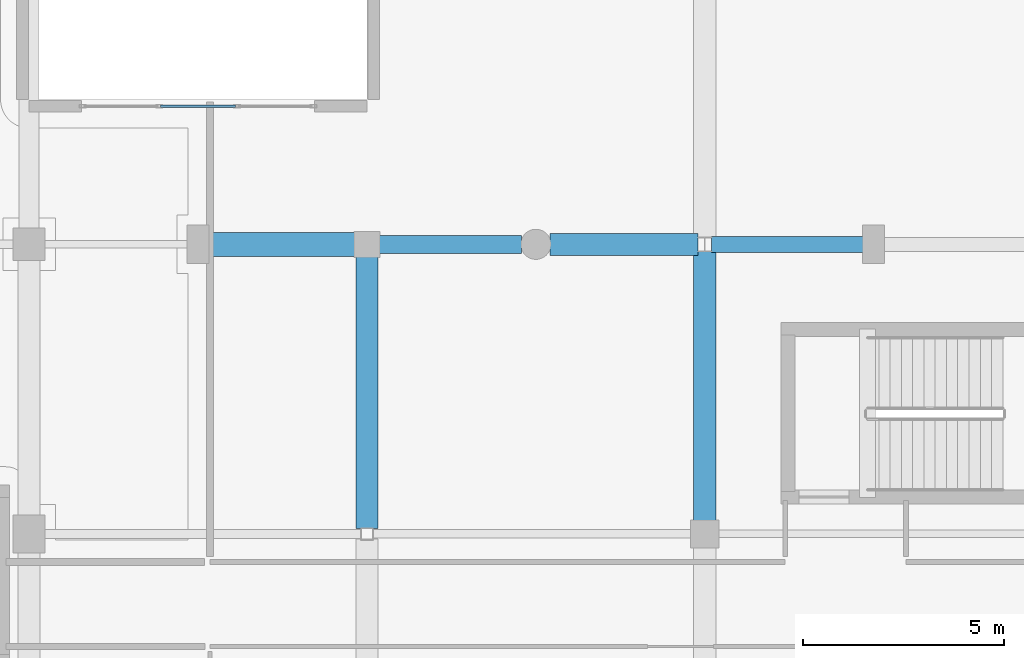
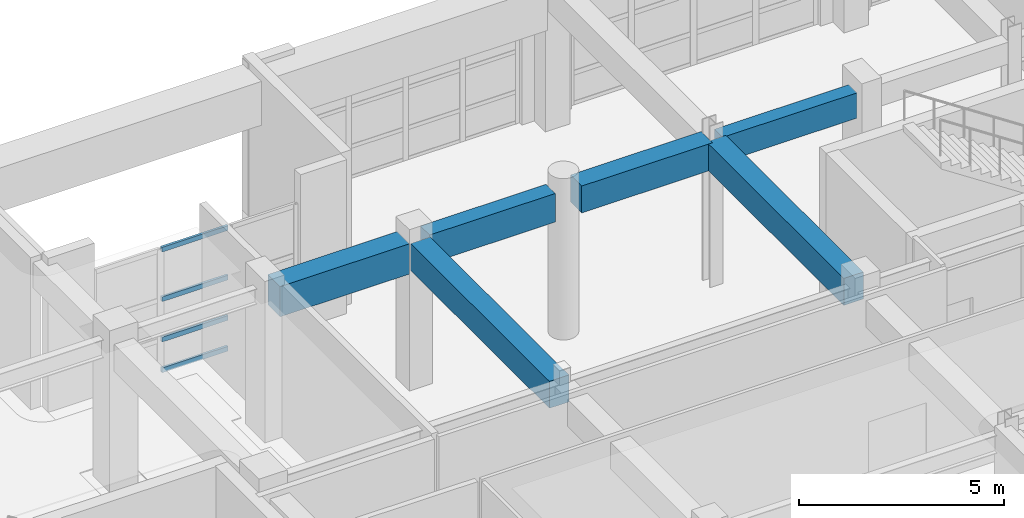
# One storey, part 67 of 123: 6 beams, 4 members, 1 element without a shape of its own.
"""IFC4 building model written with IfcOpenShell, lengths in metres."""

import ifcopenshell
import ifcopenshell.guid

model = None  # the IFC model being written
_history = None  # IfcOwnerHistory: only IFC2X3 demands one
_inside = {}  # id of a spatial element -> (the spatial element, [elements in it])
_under = {}  # id of a project, library or spatial element -> (it, [spatial elements below it])
_declared = {}  # id of a project -> (the project, [libraries it declares])
_typed = {}  # id of a type object -> (the type object, [elements of that type])
_made_of = {}  # id of a material, layer set ... -> (it, [elements and type objects made of it])


def new_model(schema):
    """Start an empty IFC model of exactly this schema.

    Asked for "IFC4X3", IfcOpenShell would pick the latest addendum, in which some entities
    have other attributes; the version numbers below select the first issue.
    IFC2X3 requires an IfcOwnerHistory on every rooted entity: one is made here for all.
    """
    global model, _history
    if schema == "IFC4X3":
        model = ifcopenshell.file(schema_version=(4, 3, 0, 0))
    else:
        model = ifcopenshell.file(schema=schema)
    _inside.clear()
    _under.clear()
    _declared.clear()
    _typed.clear()
    _made_of.clear()
    _history = None
    if model.schema == "IFC2X3":
        org = make("IfcOrganization", Name="unknown")
        user = make(
            "IfcPersonAndOrganization",
            ThePerson=make("IfcPerson", FamilyName="unknown"),
            TheOrganization=org,
        )
        app = make(
            "IfcApplication",
            ApplicationDeveloper=org,
            Version="unknown",
            ApplicationFullName="unknown",
            ApplicationIdentifier="unknown",
        )
        _history = make(
            "IfcOwnerHistory",
            OwningUser=user,
            OwningApplication=app,
            ChangeAction="ADDED",
            CreationDate=0,
        )
    return model


def make(cls, **values):
    """One entity of the class cls with the attributes given. An attribute that is None is left unset."""
    return model.create_entity(
        cls, **{name: value for name, value in values.items() if value is not None}
    )


def rooted(cls, **values):
    """An entity with a GlobalId (a new one), such as an element, a storey or a relation."""
    return make(cls, GlobalId=ifcopenshell.guid.new(), OwnerHistory=_history, **values)


def si_unit(unit_type, name, prefix=None):
    """IfcSIUnit, for example si_unit("LENGTHUNIT", "METRE", prefix="MILLI")."""
    return make("IfcSIUnit", UnitType=unit_type, Prefix=prefix, Name=name)


def assignment(units):
    """IfcUnitAssignment: the units of a project."""
    return None if units is None else make("IfcUnitAssignment", Units=units)


def point(xyz):
    """IfcCartesianPoint."""
    return None if xyz is None else make("IfcCartesianPoint", Coordinates=xyz)


def direction(xyz):
    """IfcDirection."""
    return None if xyz is None else make("IfcDirection", DirectionRatios=xyz)


def frame(location, z_axis=None, x_axis=None):
    """IfcAxis2Placement3D, a coordinate frame: its origin and axes. An axis left out is left unset."""
    return make(
        "IfcAxis2Placement3D",
        Location=point(location),
        Axis=direction(z_axis),
        RefDirection=direction(x_axis),
    )


def frame_2d(location, x_axis=None):
    """IfcAxis2Placement2D, a coordinate frame in the plane: its origin and x axis."""
    return make(
        "IfcAxis2Placement2D", Location=point(location), RefDirection=direction(x_axis)
    )


def origin():
    """The frame at (0, 0, 0) with its axes left unset."""
    return frame((0.0, 0.0, 0.0))


def origin_2d():
    """The frame at (0, 0) in the plane with its x axis left unset."""
    return frame_2d((0.0, 0.0))


def place(relative_to, where):
    """IfcLocalPlacement: puts the frame where relative to a parent placement (None: the world)."""
    return make(
        "IfcLocalPlacement", PlacementRelTo=relative_to, RelativePlacement=where
    )


def context(
    kind, dimensions, precision=None, world=None, true_north=None, identifier=None
):
    """IfcGeometricRepresentationContext, for example the 3D "Model" context."""
    return make(
        "IfcGeometricRepresentationContext",
        ContextIdentifier=identifier,
        ContextType=kind,
        CoordinateSpaceDimension=dimensions,
        Precision=precision,
        WorldCoordinateSystem=world,
        TrueNorth=true_north,
    )


def subcontext(parent, identifier, kind, view, scale=None):
    """IfcGeometricRepresentationSubContext, for example "Body" below "Model"."""
    return make(
        "IfcGeometricRepresentationSubContext",
        ContextIdentifier=identifier,
        ContextType=kind,
        ParentContext=parent,
        TargetScale=scale,
        TargetView=view,
    )


def project(units=None, contexts=None):
    """IfcProject with its units and contexts."""
    return rooted(
        "IfcProject",
        Name="project",
        RepresentationContexts=contexts,
        UnitsInContext=assignment(units),
    )


def spatial(cls, under=None, at=None, **own):
    """A site, building, storey or space (cls), placed at a placement, below another one or the project."""
    s = rooted(cls, ObjectPlacement=at, **own)
    if under is not None:
        _under.setdefault(under.id(), (under, []))[1].append(s)
    return s


def profile(cls, at=None, kind="AREA", **sizes):
    """A parametric profile (cls). Its sizes go by their IFC names, for example OverallWidth=200.0."""
    return make(cls, ProfileType=kind, Position=at, **sizes)


def rectangle(**sizes):
    """IfcRectangleProfileDef."""
    return profile("IfcRectangleProfileDef", **sizes)


def hollow_rectangle(**sizes):
    """IfcRectangleHollowProfileDef."""
    return profile("IfcRectangleHollowProfileDef", **sizes)


def extrude(swept, where, along, depth):
    """IfcExtrudedAreaSolid: the profile swept, set in the frame where, extruded along a direction by depth."""
    return make(
        "IfcExtrudedAreaSolid",
        SweptArea=swept,
        Position=where,
        ExtrudedDirection=direction(along),
        Depth=depth,
    )


def shape(context_of_items, identifier, shape_type, items):
    """IfcShapeRepresentation: the items that make up one representation, for example the "Body"."""
    return make(
        "IfcShapeRepresentation",
        ContextOfItems=context_of_items,
        RepresentationIdentifier=identifier,
        RepresentationType=shape_type,
        Items=items,
    )


def material(Name=None, Category=None):
    """IfcMaterial."""
    return make("IfcMaterial", Name=Name, Category=Category)


def layer(
    of_material, thickness, ventilated=None, Name=None, Category=None, Priority=None
):
    """IfcMaterialLayer: one layer of a wall or slab, of a material (None: an air gap)."""
    return make(
        "IfcMaterialLayer",
        Material=of_material,
        LayerThickness=thickness,
        IsVentilated=ventilated,
        Name=Name,
        Category=Category,
        Priority=Priority,
    )


def layer_set(layers, Name=None):
    """IfcMaterialLayerSet."""
    return make("IfcMaterialLayerSet", MaterialLayers=layers, LayerSetName=Name)


def material_profile(
    of_material, cross_section, Name=None, Category=None, Priority=None
):
    """IfcMaterialProfile: a cross section and its material."""
    return make(
        "IfcMaterialProfile",
        Name=Name,
        Material=of_material,
        Profile=cross_section,
        Priority=Priority,
        Category=Category,
    )


def profile_set(profiles, Name=None, composite=None):
    """IfcMaterialProfileSet."""
    return make(
        "IfcMaterialProfileSet",
        Name=Name,
        MaterialProfiles=profiles,
        CompositeProfile=composite,
    )


def made_of(thing, what):
    """Note that an element or type object is made of a material, layer set ...; save() writes the relation."""
    if what is not None:
        _made_of.setdefault(what.id(), (what, []))[1].append(thing)
    return thing


def type_object(cls, material=None, **own):
    """A type object (cls), such as IfcWallType, which elements share."""
    return made_of(rooted(cls, **own), material)


def element(
    cls,
    number,
    at=None,
    inside=None,
    cuts=None,
    type_object=None,
    material=None,
    context=None,
    identifier="Body",
    shape_type=None,
    held_by="IfcProductDefinitionShape",
    body=None,
    shapes=None,
    **own,
):
    """One element of the class cls, such as IfcWall. Its Tag is "e" and its number.

    at: its placement. inside: the storey or other place that contains it. cuts: it is an
    opening in that element (IfcRelVoidsElement). A single representation is given by context,
    identifier, shape_type and body (its items); several are given by shapes. held_by: the class
    of the entity that holds the representations. save() writes the other relations.
    """
    e = rooted(cls, Tag="e%d" % number, ObjectPlacement=at, **own)
    if body is not None:
        shapes = [shape(context, identifier, shape_type, body)]
    if shapes is not None:
        e.Representation = make(held_by, Representations=shapes)
    if inside is not None:
        _inside.setdefault(inside.id(), (inside, []))[1].append(e)
    if cuts is not None:
        rooted(
            "IfcRelVoidsElement", RelatingBuildingElement=cuts, RelatedOpeningElement=e
        )
    if type_object is not None:
        _typed.setdefault(type_object.id(), (type_object, []))[1].append(e)
    return made_of(e, material)


def aggregate(whole, parts):
    """IfcRelAggregates: a whole, such as a stair, and the parts it consists of."""
    return rooted("IfcRelAggregates", RelatingObject=whole, RelatedObjects=parts)


def save(model, path):
    """Write the relations noted so far, then the file.

    IfcRelAggregates (storeys below a building ...), IfcRelContainedInSpatialStructure (elements
    in a storey), IfcRelDefinesByType, IfcRelAssociatesMaterial and IfcRelDeclares: one each for
    every whole, place, type object, material and project.
    """
    for whole, parts in _under.values():
        aggregate(whole, parts)
    for where, things in _inside.values():
        rooted(
            "IfcRelContainedInSpatialStructure",
            RelatedElements=things,
            RelatingStructure=where,
        )
    for kind, things in _typed.values():
        rooted("IfcRelDefinesByType", RelatedObjects=things, RelatingType=kind)
    for what, things in _made_of.values():
        rooted("IfcRelAssociatesMaterial", RelatedObjects=things, RelatingMaterial=what)
    for by, libraries in _declared.values():
        rooted("IfcRelDeclares", RelatingContext=by, RelatedDefinitions=libraries)
    model.write(path)


model = new_model("IFC4")

# Units and contexts
model_context = context("Model", 3, precision=1e-05, world=origin(), true_north=direction((0.0, 1.0)))
body_context = subcontext(model_context, "Body", "Model", "MODEL_VIEW")
ifc_project = project(units=[si_unit("LENGTHUNIT", "METRE"), si_unit("AREAUNIT", "SQUARE_METRE"), si_unit("VOLUMEUNIT", "CUBIC_METRE"), si_unit("PLANEANGLEUNIT", "RADIAN"), si_unit("MASSUNIT", "GRAM", prefix="KILO")], contexts=[model_context])

# Site, building, storey
site_placement = place(None, origin())
site = spatial("IfcSite", under=ifc_project, at=site_placement, CompositionType="ELEMENT")
building_placement = place(site_placement, origin())
building = spatial("IfcBuilding", under=site, at=building_placement, Name="Quendrovan Civic Courthouse", CompositionType="ELEMENT")
storey_placement = place(building_placement, frame((0.0, 0.0, 5.39990234375)))
storey = spatial("IfcBuildingStorey", under=building, at=storey_placement, Name="L02", CompositionType="ELEMENT", Elevation=5.39990234375)

# Beams
ifc_material_1 = material(Name="Concrete C40/50", Category="concrete")
ifc_material_profile_1 = material_profile(ifc_material_1, rectangle(XDim=0.39990234375, YDim=0.75, at=origin_2d()), Name="RC-BM-400x750")
ifc_profile_set_1 = profile_set([ifc_material_profile_1], Name="Concrete C40/50")
beam_type_1 = type_object("IfcBeamType", Name="BM-RC750B", PredefinedType="BEAM", material=ifc_profile_set_1)
beam_1_placement = place(storey_placement, frame((109.366943359375, 102.0, 3.985107421875), z_axis=(1.0, 0.0, 0.0), x_axis=(0.0, 1.0, 0.0)))
element("IfcBeam", 1, at=beam_1_placement, inside=storey, type_object=beam_type_1, Name="L02 Girder X0584", PredefinedType="BEAM", context=body_context, shape_type="SweptSolid", body=[
    extrude(rectangle(XDim=0.39990234375, YDim=0.75, at=origin_2d()), origin(), (0.0, 0.0, 1.0), 3.778076171875),
])
ifc_material_profile_2 = material_profile(ifc_material_1, rectangle(XDim=0.550048828125, YDim=0.800048828125, at=origin_2d()), Name="RC-BM-550x800")
ifc_profile_set_2 = profile_set([ifc_material_profile_2], Name="Concrete C40/50")
beam_type_2 = type_object("IfcBeamType", Name="BM-RC800", PredefinedType="BEAM", material=ifc_profile_set_2)
beam_2_placement = place(storey_placement, frame((105.35498046875, 102.0, 3.960205078125), z_axis=(1.0, 0.0, 0.0), x_axis=(0.0, 1.0, 0.0)))
element("IfcBeam", 2, at=beam_2_placement, inside=storey, type_object=beam_type_2, Name="L02 Girder X0583", PredefinedType="BEAM", context=body_context, shape_type="SweptSolid", body=[
    extrude(rectangle(XDim=0.550048828125, YDim=0.800048828125, at=origin_2d()), origin(), (0.0, 0.0, 1.0), 3.677978515625),
])
beam_3_placement = place(storey_placement, frame((100.800048828125, 94.929931640625, 3.960205078125), z_axis=(0.0, 1.0, 0.0), x_axis=(-1.0, 0.0, 0.0)))
element("IfcBeam", 3, at=beam_3_placement, inside=storey, type_object=beam_type_2, Name="L02 Girder Y0689", PredefinedType="BEAM", context=body_context, shape_type="SweptSolid", body=[
    extrude(rectangle(XDim=0.550048828125, YDim=0.800048828125, at=origin_2d()), origin(), (0.0, 0.0, 1.0), 6.76513671875),
])
beam_4_placement = place(storey_placement, frame((109.199951171875, 95.1298828125, 3.960205078125), z_axis=(0.0, 1.0, 0.0), x_axis=(-1.0, 0.0, 0.0)))
element("IfcBeam", 4, at=beam_4_placement, inside=storey, type_object=beam_type_2, Name="L02 Girder Y0694", PredefinedType="BEAM", context=body_context, shape_type="SweptSolid", body=[
    extrude(rectangle(XDim=0.550048828125, YDim=0.800048828125, at=origin_2d()), origin(), (0.0, 0.0, 1.0), 6.7041015625),
])
ifc_material_2 = material(Name="Concrete C45/55", Category="concrete")
ifc_material_profile_3 = material_profile(ifc_material_2, rectangle(XDim=0.449951171875, YDim=0.85009765625, at=origin_2d()), Name="RC-BM-450x850")
ifc_profile_set_3 = profile_set([ifc_material_profile_3], Name="Concrete C45/55")
beam_type_3 = type_object("IfcBeamType", Name="BM-RC850", PredefinedType="BEAM", material=ifc_profile_set_3)
beam_5_placement = place(storey_placement, frame((101.10498046875, 102.0, 3.93505859375), z_axis=(1.0, 0.0, 0.0), x_axis=(0.0, 1.0, 0.0)))
element("IfcBeam", 5, at=beam_5_placement, inside=storey, type_object=beam_type_3, Name="L02 Girder X0582", PredefinedType="BEAM", context=body_context, shape_type="SweptSolid", body=[
    extrude(rectangle(XDim=0.449951171875, YDim=0.85009765625, at=origin_2d()), origin(), (0.0, 0.0, 1.0), 3.5400390625),
])
ifc_material_profile_4 = material_profile(ifc_material_1, rectangle(XDim=0.60009765625, YDim=0.89990234375, at=origin_2d()), Name="RC-BM-600x900")
ifc_profile_set_4 = profile_set([ifc_material_profile_4], Name="Concrete C40/50")
beam_type_4 = type_object("IfcBeamType", Name="BM-RC900", PredefinedType="BEAM", material=ifc_profile_set_4)
beam_6_placement = place(storey_placement, frame((96.85498046875, 102.0, 3.91015625), z_axis=(1.0, 0.0, 0.0), x_axis=(0.0, 1.0, 0.0)))
element("IfcBeam", 6, at=beam_6_placement, inside=storey, type_object=beam_type_4, Name="L02 Girder X0581", PredefinedType="BEAM", context=body_context, shape_type="SweptSolid", body=[
    extrude(rectangle(XDim=0.60009765625, YDim=0.89990234375, at=origin_2d()), origin(), (0.0, 0.0, 1.0), 3.64013671875),
])

# Curtain wall, members
ifc_material_3 = material(Name="Bronze anodised aluminium and low-E glass", Category="aluminium")
ifc_layer = layer(ifc_material_3, 0.179931640625, Name="Bronze anodised aluminium and low-E glass")
ifc_layer_set = layer_set([ifc_layer], Name="Bronze anodised aluminium and low-E glass")
curtain_wall_type = type_object("IfcCurtainWallType", Name="CW-U58x37", PredefinedType="USERDEFINED", material=ifc_layer_set)
curtain_wall_placement = place(storey_placement, origin())
curtain_wall = element("IfcCurtainWall", 7, at=curtain_wall_placement, inside=storey, type_object=curtain_wall_type, Name="L02 Unitised Hurricane Curtain Wall CW-088", ObjectType="UNITISED CURTAIN WALL", PredefinedType="USERDEFINED")
ifc_material_4 = material(Name="Bronze anodised aluminium", Category="aluminium")
ifc_material_profile_5 = material_profile(ifc_material_4, hollow_rectangle(XDim=0.070068359375, YDim=0.139892578125, WallThickness=0.00390625, at=origin_2d()), Name="CW-TRAN-70x140")
ifc_profile_set_5 = profile_set([ifc_material_profile_5], Name="Bronze anodised aluminium")
member_type = type_object("IfcMemberType", Name="CW-TRAN-A", PredefinedType="USERDEFINED", material=ifc_profile_set_5)
member_1_placement = place(storey_placement, frame((95.668212890625, 105.43505859375, 0.03515625), z_axis=(1.0, 0.0, 0.0), x_axis=(0.0, 1.0, 0.0)))
member_1 = element("IfcMember", 8, at=member_1_placement, type_object=member_type, Name="CW-088 transom 2.1", ObjectType="TRANSOM", PredefinedType="USERDEFINED", context=body_context, shape_type="SweptSolid", body=[
    extrude(hollow_rectangle(XDim=0.070068359375, YDim=0.139892578125, WallThickness=0.00390625, at=origin_2d()), origin(), (0.0, 0.0, 1.0), 1.863525390625),
])
member_2_placement = place(storey_placement, frame((95.668212890625, 105.43505859375, 0.9501953125), z_axis=(1.0, 0.0, 0.0), x_axis=(0.0, 1.0, 0.0)))
member_2 = element("IfcMember", 9, at=member_2_placement, type_object=member_type, Name="CW-088 transom 2.2", ObjectType="TRANSOM", PredefinedType="USERDEFINED", context=body_context, shape_type="SweptSolid", body=[
    extrude(hollow_rectangle(XDim=0.070068359375, YDim=0.139892578125, WallThickness=0.00390625, at=origin_2d()), origin(), (0.0, 0.0, 1.0), 1.863525390625),
])
member_3_placement = place(storey_placement, frame((95.668212890625, 105.43505859375, 2.150146484375), z_axis=(1.0, 0.0, 0.0), x_axis=(0.0, 1.0, 0.0)))
member_3 = element("IfcMember", 10, at=member_3_placement, type_object=member_type, Name="CW-088 transom 2.3", ObjectType="TRANSOM", PredefinedType="USERDEFINED", context=body_context, shape_type="SweptSolid", body=[
    extrude(hollow_rectangle(XDim=0.070068359375, YDim=0.139892578125, WallThickness=0.00390625, at=origin_2d()), origin(), (0.0, 0.0, 1.0), 1.863525390625),
])
member_4_placement = place(storey_placement, frame((95.668212890625, 105.43505859375, 3.625), z_axis=(1.0, 0.0, 0.0), x_axis=(0.0, 1.0, 0.0)))
member_4 = element("IfcMember", 11, at=member_4_placement, type_object=member_type, Name="CW-088 transom 2.4", ObjectType="TRANSOM", PredefinedType="USERDEFINED", context=body_context, shape_type="SweptSolid", body=[
    extrude(hollow_rectangle(XDim=0.070068359375, YDim=0.139892578125, WallThickness=0.00390625, at=origin_2d()), origin(), (0.0, 0.0, 1.0), 1.863525390625),
])
aggregate(curtain_wall, [member_1, member_2, member_3, member_4])

save(model, "model.ifc")
